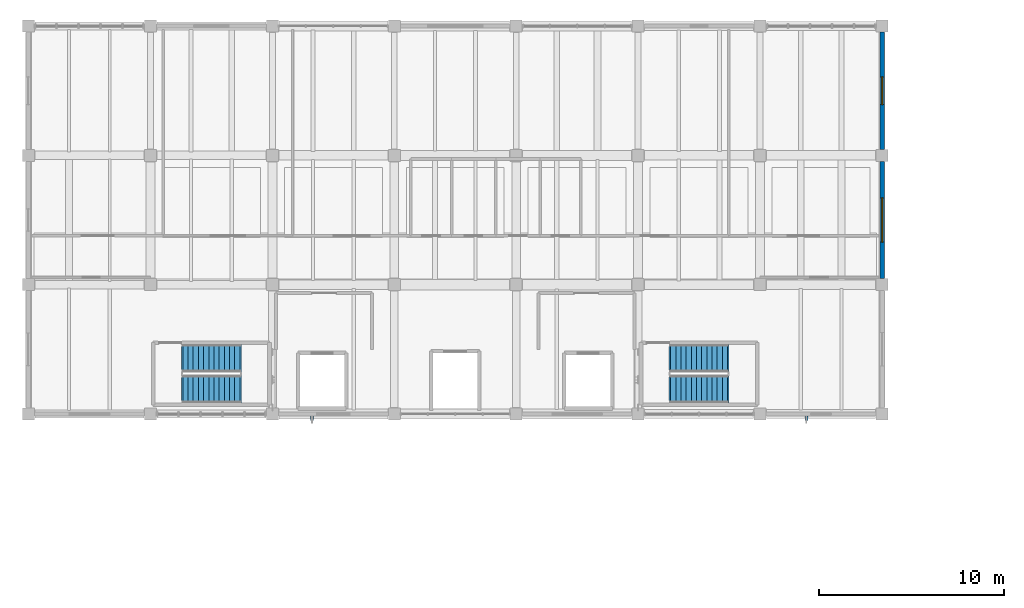
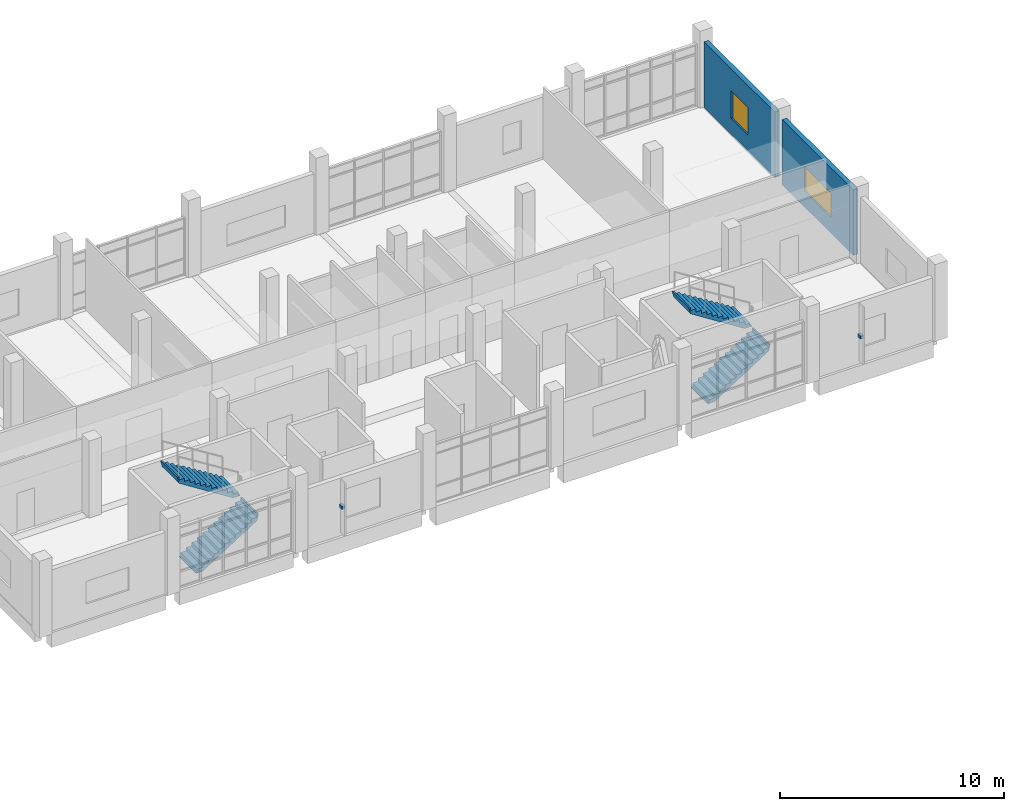
# One storey, part 13 of 16: 4 stair flights, 2 discrete accessories, 2 walls, 2 windows, 2 openings, 2 elements without a shape of their own.
"""IFC4 building model written with IfcOpenShell, lengths in metres."""

from ifc_helpers import new_model, si_unit, direction, frame, frame_2d, origin, origin_2d, place, context, subcontext, project, spatial, polyline, rectangle, outline, extrude, material, layer, layer_set, type_object, element, fill, aggregate, save


model = new_model("IFC4")

# Units and contexts
model_context = context("Model", 3, precision=1e-05, world=origin(), true_north=direction((0.0, 1.0)))
body_context = subcontext(model_context, "Body", "Model", "MODEL_VIEW")
ifc_project = project(units=[si_unit("LENGTHUNIT", "METRE"), si_unit("AREAUNIT", "SQUARE_METRE"), si_unit("VOLUMEUNIT", "CUBIC_METRE"), si_unit("PLANEANGLEUNIT", "RADIAN"), si_unit("MASSUNIT", "GRAM", prefix="KILO")], contexts=[model_context])

# Site, building, storey
site_placement = place(None, origin())
site = spatial("IfcSite", under=ifc_project, at=site_placement, CompositionType="ELEMENT")
building_placement = place(site_placement, origin())
building = spatial("IfcBuilding", under=site, at=building_placement, Name="Ciguamira Faculty of Natural Sciences", CompositionType="ELEMENT")
storey_placement = place(building_placement, frame((0.0, 0.0, 25.199951171875)))
storey = spatial("IfcBuildingStorey", under=building, at=storey_placement, Name="L06", CompositionType="ELEMENT", Elevation=25.199951171875)

# Wall, opening, window
ifc_material_1 = material(Name="Precast concrete C40/50", Category="concrete")
ifc_layer = layer(ifc_material_1, 0.239990234375, Name="Precast concrete C40/50")
ifc_layer_set = layer_set([ifc_layer], Name="Precast concrete C40/50")
wall_type = type_object("IfcWallType", Name="ExtWall_EW-02_240", PredefinedType="SOLIDWALL", material=ifc_layer_set)
wall_1_placement = place(storey_placement, frame((110.10009765625, 101.324951171875, 0.0), z_axis=(0.0, 0.0, 1.0), x_axis=(0.0, 1.0, 0.0)))
wall_1 = element("IfcWall", 1, at=wall_1_placement, inside=storey, type_object=wall_type, Name="L06 exterior wall 0359", PredefinedType="SOLIDWALL", context=body_context, shape_type="SweptSolid", body=[
    extrude(rectangle(XDim=6.35009765625, YDim=0.239990234375, at=frame_2d((3.175048828125, 0.0))), origin(), (0.0, 0.0, 1.0), 3.56494140625),
])
opening_1_placement = place(wall_1_placement, frame((1.97509765625, 0.0, 0.85009765625)))
opening_1 = element("IfcOpeningElement", 2, at=opening_1_placement, cuts=wall_1, Name="Opening WT-07", PredefinedType="OPENING", context=body_context, shape_type="SweptSolid", body=[
    extrude(rectangle(XDim=2.39990234375, YDim=1.35009765625, at=frame_2d((1.199951171875, 0.675048828125))), frame((0.0, 0.1298828125, 0.0), z_axis=(0.0, -1.0, 0.0), x_axis=(1.0, 0.0, 0.0)), (0.0, 0.0, 1.0), 0.260009765625),
])
ifc_material_2 = material(Name="Hurricane laminated solar glass", Category="glass")
window_type_1 = type_object("IfcWindowType", Name="Window_WT-07_2400x1350", PartitioningType="DOUBLE_PANEL_VERTICAL", PredefinedType="WINDOW", material=ifc_material_2)
window_1_placement = place(opening_1_placement, origin())
window_1 = element("IfcWindow", 3, at=window_1_placement, inside=storey, type_object=window_type_1, Name="L06 facade window 0248", OverallHeight=1.35009765625, OverallWidth=2.39990234375, PartitioningType="SINGLE_PANEL", PredefinedType="WINDOW", context=body_context, shape_type="SweptSolid", body=[
    extrude(rectangle(XDim=2.39990234375, YDim=1.35009765625, at=frame_2d((1.199951171875, 0.675048828125))), frame((0.0, 0.030029296875, 0.0), z_axis=(0.0, -1.0, 0.0), x_axis=(1.0, 0.0, 0.0)), (0.0, 0.0, 1.0), 0.06005859375),
])
fill(opening_1, window_1)

wall_2_placement = place(storey_placement, frame((110.10009765625, 108.324951171875, 0.0), z_axis=(0.0, 0.0, 1.0), x_axis=(0.0, 1.0, 0.0)))
wall_2 = element("IfcWall", 4, at=wall_2_placement, inside=storey, type_object=wall_type, Name="L06 exterior wall 0360", PredefinedType="SOLIDWALL", context=body_context, shape_type="SweptSolid", body=[
    extrude(rectangle(XDim=6.35009765625, YDim=0.239990234375, at=frame_2d((3.175048828125, 0.0))), origin(), (0.0, 0.0, 1.0), 3.56494140625),
])
opening_2_placement = place(wall_2_placement, frame((2.425048828125, 0.0, 0.85009765625)))
opening_2 = element("IfcOpeningElement", 5, at=opening_2_placement, cuts=wall_2, Name="Opening WT-09", PredefinedType="OPENING", context=body_context, shape_type="SweptSolid", body=[
    extrude(rectangle(XDim=1.5, YDim=1.5, at=frame_2d((0.75, 0.75))), frame((0.0, 0.1298828125, 0.0), z_axis=(0.0, -1.0, 0.0), x_axis=(1.0, 0.0, 0.0)), (0.0, 0.0, 1.0), 0.260009765625),
])
window_type_2 = type_object("IfcWindowType", Name="Window_WT-09_1500x1500", PartitioningType="DOUBLE_PANEL_VERTICAL", PredefinedType="WINDOW", material=ifc_material_2)
window_2_placement = place(opening_2_placement, origin())
window_2 = element("IfcWindow", 6, at=window_2_placement, inside=storey, type_object=window_type_2, Name="L06 facade window 0249", OverallHeight=1.5, OverallWidth=1.5, PartitioningType="SINGLE_PANEL", PredefinedType="WINDOW", context=body_context, shape_type="SweptSolid", body=[
    extrude(rectangle(XDim=1.5, YDim=1.5, at=frame_2d((0.75, 0.75))), frame((0.0, 0.030029296875, 0.0), z_axis=(0.0, -1.0, 0.0), x_axis=(1.0, 0.0, 0.0)), (0.0, 0.0, 1.0), 0.06005859375),
])
fill(opening_2, window_2)

# Stair, stair flights
ifc_material_3 = material(Name="Concrete C40/50", Category="concrete")
stair_type_1 = type_object("IfcStairType", Name="Stair_STR-01", PredefinedType="HALF_TURN_STAIR", material=ifc_material_3)
stair_1_placement = place(storey_placement, origin())
stair_1 = element("IfcStair", 7, at=stair_1_placement, inside=storey, type_object=stair_type_1, Name="L06 Tower West Exit Stair", PredefinedType="HALF_TURN_STAIR")
stair_flight_type_1 = type_object("IfcStairFlightType", Name="StairFlight_SFL-01", PredefinedType="STRAIGHT", material=ifc_material_1)
stair_flight_1_placement = place(storey_placement, frame((72.260009765625, 95.35009765625, 0.0), z_axis=(0.0, 0.0, 1.0), x_axis=(1.0, 0.0, 0.0)))
stair_flight_1 = element("IfcStairFlight", 8, at=stair_flight_1_placement, type_object=stair_flight_type_1, Name="ST-T1 flight 1", NumberOfRisers=12, NumberOfTreads=11, PredefinedType="STRAIGHT", RiserHeight=0.175, TreadLength=0.28, context=body_context, shape_type="SweptSolid", body=[
    extrude(outline(polyline([(-0.080078125, -0.034912109375), (-0.080078125, 0.0), (0.0, 0.0), (0.0, 0.175048828125), (0.280029296875, 0.175048828125), (0.280029296875, 0.35009765625), (0.56005859375, 0.35009765625), (0.56005859375, 0.52490234375), (0.840087890625, 0.52490234375), (0.840087890625, 0.699951171875), (1.1201171875, 0.699951171875), (1.1201171875, 0.875), (1.39990234375, 0.875), (1.39990234375, 1.050048828125), (1.679931640625, 1.050048828125), (1.679931640625, 1.22509765625), (1.9599609375, 1.22509765625), (1.9599609375, 1.39990234375), (2.239990234375, 1.39990234375), (2.239990234375, 1.574951171875), (2.52001953125, 1.574951171875), (2.52001953125, 1.75), (2.800048828125, 1.75), (2.800048828125, 1.925048828125), (3.080078125, 1.925048828125), (3.080078125, 2.10009765625), (3.16015625, 2.10009765625), (3.16015625, 2.065185546875), (3.080078125, 1.748291015625), (0.28271484375, -0.034912109375), (-0.080078125, -0.034912109375)])), frame((0.0, 0.75, 0.0), z_axis=(0.0, -1.0, 0.0), x_axis=(1.0, 0.0, 0.0)), (0.0, 0.0, 1.0), 1.5),
])
stair_flight_2_placement = place(storey_placement, frame((75.340087890625, 97.010009765625, 2.10009765625), z_axis=(0.0, 0.0, 1.0), x_axis=(-1.0, 0.0, 0.0)))
stair_flight_2 = element("IfcStairFlight", 9, at=stair_flight_2_placement, type_object=stair_flight_type_1, Name="ST-T1 flight 2", NumberOfRisers=12, NumberOfTreads=11, PredefinedType="STRAIGHT", RiserHeight=0.175, TreadLength=0.28, context=body_context, shape_type="SweptSolid", body=[
    extrude(outline(polyline([(-0.080078125, -0.034912109375), (-0.080078125, 0.0), (0.0, 0.0), (0.0, 0.175048828125), (0.280029296875, 0.175048828125), (0.280029296875, 0.35009765625), (0.56005859375, 0.35009765625), (0.56005859375, 0.52490234375), (0.840087890625, 0.52490234375), (0.840087890625, 0.699951171875), (1.1201171875, 0.699951171875), (1.1201171875, 0.875), (1.39990234375, 0.875), (1.39990234375, 1.050048828125), (1.679931640625, 1.050048828125), (1.679931640625, 1.22509765625), (1.9599609375, 1.22509765625), (1.9599609375, 1.39990234375), (2.239990234375, 1.39990234375), (2.239990234375, 1.574951171875), (2.52001953125, 1.574951171875), (2.52001953125, 1.75), (2.800048828125, 1.75), (2.800048828125, 1.925048828125), (3.080078125, 1.925048828125), (3.080078125, 2.10009765625), (3.16015625, 2.10009765625), (3.16015625, 2.065185546875), (3.080078125, 1.748291015625), (0.28271484375, -0.034912109375), (-0.080078125, -0.034912109375)])), frame((0.0, 0.75, 0.0), z_axis=(0.0, -1.0, 0.0), x_axis=(1.0, 0.0, 0.0)), (0.0, 0.0, 1.0), 1.5),
])
aggregate(stair_1, [stair_flight_1, stair_flight_2])

stair_type_2 = type_object("IfcStairType", Name="Stair_STR-02", PredefinedType="HALF_TURN_STAIR", material=ifc_material_3)
stair_2_placement = place(storey_placement, origin())
stair_2 = element("IfcStair", 10, at=stair_2_placement, inside=storey, type_object=stair_type_2, Name="L06 Tower East Exit Stair", PredefinedType="HALF_TURN_STAIR")
stair_flight_type_2 = type_object("IfcStairFlightType", Name="StairFlight_SFL-02", PredefinedType="STRAIGHT", material=ifc_material_1)
stair_flight_3_placement = place(storey_placement, frame((98.659912109375, 95.35009765625, 0.0), z_axis=(0.0, 0.0, 1.0), x_axis=(1.0, 0.0, 0.0)))
stair_flight_3 = element("IfcStairFlight", 11, at=stair_flight_3_placement, type_object=stair_flight_type_2, Name="ST-T2 flight 1", NumberOfRisers=12, NumberOfTreads=11, PredefinedType="STRAIGHT", RiserHeight=0.175, TreadLength=0.28, context=body_context, shape_type="SweptSolid", body=[
    extrude(outline(polyline([(-0.080078125, -0.034912109375), (-0.080078125, 0.0), (0.0, 0.0), (0.0, 0.175048828125), (0.280029296875, 0.175048828125), (0.280029296875, 0.35009765625), (0.56005859375, 0.35009765625), (0.56005859375, 0.52490234375), (0.840087890625, 0.52490234375), (0.840087890625, 0.699951171875), (1.1201171875, 0.699951171875), (1.1201171875, 0.875), (1.39990234375, 0.875), (1.39990234375, 1.050048828125), (1.679931640625, 1.050048828125), (1.679931640625, 1.22509765625), (1.9599609375, 1.22509765625), (1.9599609375, 1.39990234375), (2.239990234375, 1.39990234375), (2.239990234375, 1.574951171875), (2.52001953125, 1.574951171875), (2.52001953125, 1.75), (2.800048828125, 1.75), (2.800048828125, 1.925048828125), (3.080078125, 1.925048828125), (3.080078125, 2.10009765625), (3.16015625, 2.10009765625), (3.16015625, 2.065185546875), (3.080078125, 1.748291015625), (0.28271484375, -0.034912109375), (-0.080078125, -0.034912109375)])), frame((0.0, 0.75, 0.0), z_axis=(0.0, -1.0, 0.0), x_axis=(1.0, 0.0, 0.0)), (0.0, 0.0, 1.0), 1.5),
])
stair_flight_4_placement = place(storey_placement, frame((101.739990234375, 97.010009765625, 2.10009765625), z_axis=(0.0, 0.0, 1.0), x_axis=(-1.0, 0.0, 0.0)))
stair_flight_4 = element("IfcStairFlight", 12, at=stair_flight_4_placement, type_object=stair_flight_type_2, Name="ST-T2 flight 2", NumberOfRisers=12, NumberOfTreads=11, PredefinedType="STRAIGHT", RiserHeight=0.175, TreadLength=0.28, context=body_context, shape_type="SweptSolid", body=[
    extrude(outline(polyline([(-0.080078125, -0.034912109375), (-0.080078125, 0.0), (0.0, 0.0), (0.0, 0.175048828125), (0.280029296875, 0.175048828125), (0.280029296875, 0.35009765625), (0.56005859375, 0.35009765625), (0.56005859375, 0.52490234375), (0.840087890625, 0.52490234375), (0.840087890625, 0.699951171875), (1.1201171875, 0.699951171875), (1.1201171875, 0.875), (1.39990234375, 0.875), (1.39990234375, 1.050048828125), (1.679931640625, 1.050048828125), (1.679931640625, 1.22509765625), (1.9599609375, 1.22509765625), (1.9599609375, 1.39990234375), (2.239990234375, 1.39990234375), (2.239990234375, 1.574951171875), (2.52001953125, 1.574951171875), (2.52001953125, 1.75), (2.800048828125, 1.75), (2.800048828125, 1.925048828125), (3.080078125, 1.925048828125), (3.080078125, 2.10009765625), (3.16015625, 2.10009765625), (3.16015625, 2.065185546875), (3.080078125, 1.748291015625), (0.28271484375, -0.034912109375), (-0.080078125, -0.034912109375)])), frame((0.0, 0.75, 0.0), z_axis=(0.0, -1.0, 0.0), x_axis=(1.0, 0.0, 0.0)), (0.0, 0.0, 1.0), 1.5),
])
aggregate(stair_2, [stair_flight_3, stair_flight_4])

# Discrete accessories
ifc_material_4 = material(Name="Stainless steel fixing bracket", Category="steel")
discrete_accessory_type = type_object("IfcDiscreteAccessoryType", Name="FacadeBracket_BK01", PredefinedType="BRACKET", material=ifc_material_4)
for number, where, z_axis, x_axis, name in (
    (13, (79.25, 93.780029296875, 1.5703125), (0.0, 0.0, 1.0), (1.0, 0.0, 0.0), "L06 sunshade fixing bracket 0031"),
    (14, (106.0, 93.780029296875, 1.4951171875), (0.0, 0.0, 1.0), (1.0, 0.0, 0.0), "L06 sunshade fixing bracket 0032"),
):
    element("IfcDiscreteAccessory", number, at=place(storey_placement, frame(where, z_axis=z_axis, x_axis=x_axis)), inside=storey, type_object=discrete_accessory_type, Name=name, PredefinedType="BRACKET", context=body_context, shape_type="SweptSolid", body=[
        extrude(rectangle(XDim=0.159912109375, YDim=0.239990234375, at=origin_2d()), origin(), (0.0, 0.0, 1.0), 0.159912109375),
    ])

save(model, "model.ifc")
